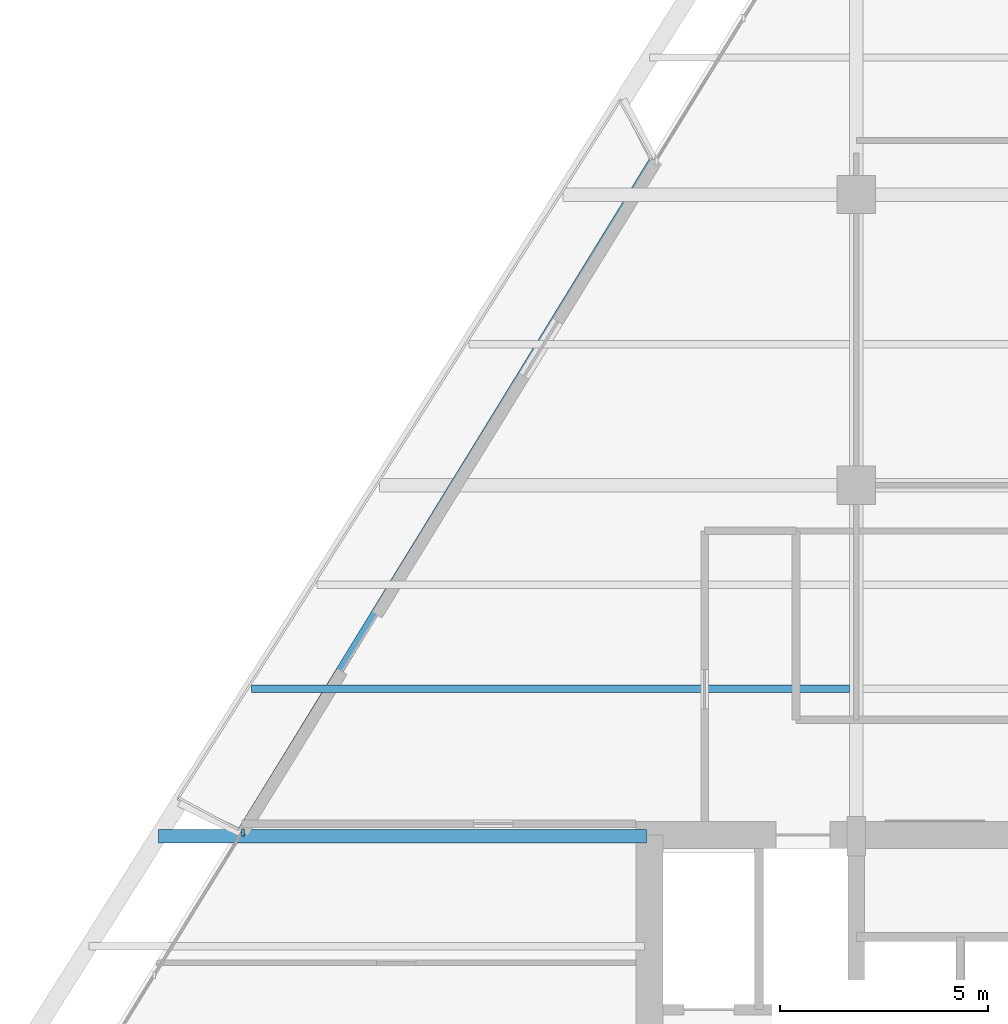
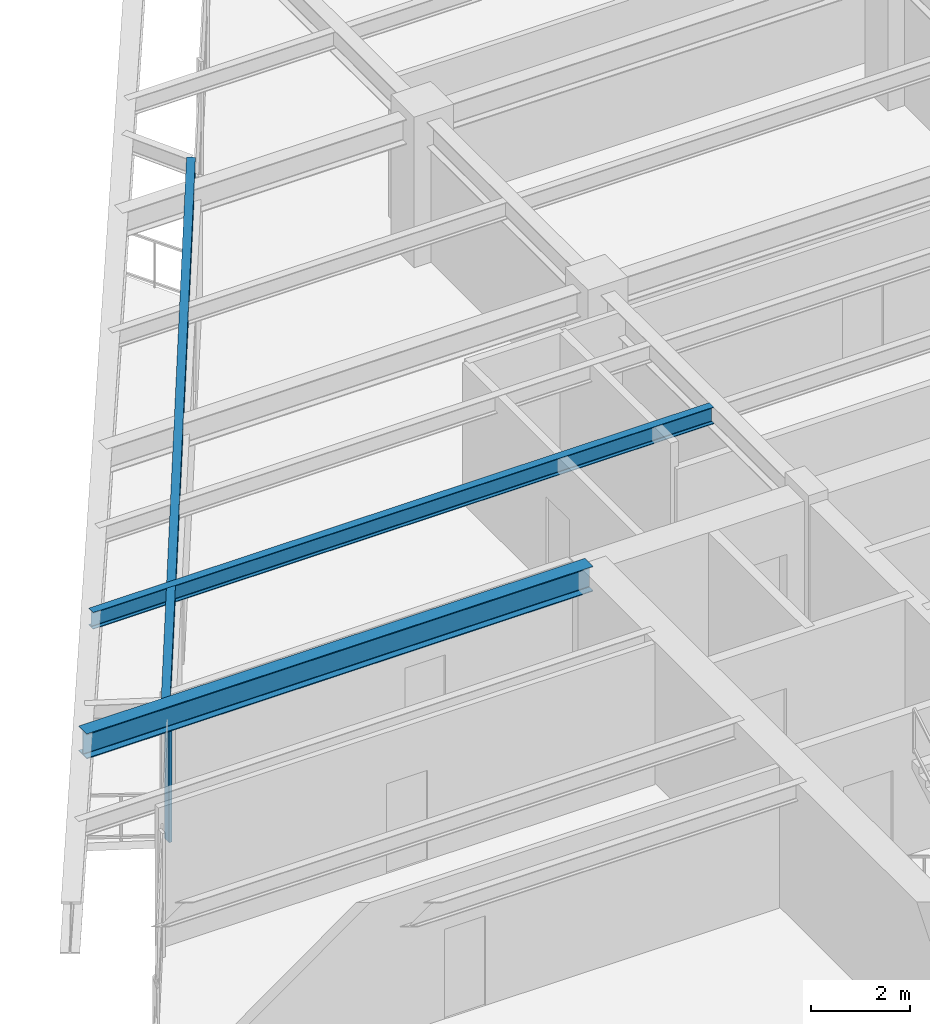
# One storey, part 4 of 15: 3 beams, 1 member, 1 element without a shape of its own.
"""IFC4 building model written with IfcOpenShell, lengths in metres."""

import ifcopenshell
import ifcopenshell.guid

model = None  # the IFC model being written
_history = None  # IfcOwnerHistory: only IFC2X3 demands one
_inside = {}  # id of a spatial element -> (the spatial element, [elements in it])
_under = {}  # id of a project, library or spatial element -> (it, [spatial elements below it])
_declared = {}  # id of a project -> (the project, [libraries it declares])
_typed = {}  # id of a type object -> (the type object, [elements of that type])
_made_of = {}  # id of a material, layer set ... -> (it, [elements and type objects made of it])


def new_model(schema):
    """Start an empty IFC model of exactly this schema.

    Asked for "IFC4X3", IfcOpenShell would pick the latest addendum, in which some entities
    have other attributes; the version numbers below select the first issue.
    IFC2X3 requires an IfcOwnerHistory on every rooted entity: one is made here for all.
    """
    global model, _history
    if schema == "IFC4X3":
        model = ifcopenshell.file(schema_version=(4, 3, 0, 0))
    else:
        model = ifcopenshell.file(schema=schema)
    _inside.clear()
    _under.clear()
    _declared.clear()
    _typed.clear()
    _made_of.clear()
    _history = None
    if model.schema == "IFC2X3":
        org = make("IfcOrganization", Name="unknown")
        user = make(
            "IfcPersonAndOrganization",
            ThePerson=make("IfcPerson", FamilyName="unknown"),
            TheOrganization=org,
        )
        app = make(
            "IfcApplication",
            ApplicationDeveloper=org,
            Version="unknown",
            ApplicationFullName="unknown",
            ApplicationIdentifier="unknown",
        )
        _history = make(
            "IfcOwnerHistory",
            OwningUser=user,
            OwningApplication=app,
            ChangeAction="ADDED",
            CreationDate=0,
        )
    return model


def make(cls, **values):
    """One entity of the class cls with the attributes given. An attribute that is None is left unset."""
    return model.create_entity(
        cls, **{name: value for name, value in values.items() if value is not None}
    )


def rooted(cls, **values):
    """An entity with a GlobalId (a new one), such as an element, a storey or a relation."""
    return make(cls, GlobalId=ifcopenshell.guid.new(), OwnerHistory=_history, **values)


def si_unit(unit_type, name, prefix=None):
    """IfcSIUnit, for example si_unit("LENGTHUNIT", "METRE", prefix="MILLI")."""
    return make("IfcSIUnit", UnitType=unit_type, Prefix=prefix, Name=name)


def assignment(units):
    """IfcUnitAssignment: the units of a project."""
    return None if units is None else make("IfcUnitAssignment", Units=units)


def point(xyz):
    """IfcCartesianPoint."""
    return None if xyz is None else make("IfcCartesianPoint", Coordinates=xyz)


def direction(xyz):
    """IfcDirection."""
    return None if xyz is None else make("IfcDirection", DirectionRatios=xyz)


def frame(location, z_axis=None, x_axis=None):
    """IfcAxis2Placement3D, a coordinate frame: its origin and axes. An axis left out is left unset."""
    return make(
        "IfcAxis2Placement3D",
        Location=point(location),
        Axis=direction(z_axis),
        RefDirection=direction(x_axis),
    )


def frame_2d(location, x_axis=None):
    """IfcAxis2Placement2D, a coordinate frame in the plane: its origin and x axis."""
    return make(
        "IfcAxis2Placement2D", Location=point(location), RefDirection=direction(x_axis)
    )


def origin():
    """The frame at (0, 0, 0) with its axes left unset."""
    return frame((0.0, 0.0, 0.0))


def origin_2d():
    """The frame at (0, 0) in the plane with its x axis left unset."""
    return frame_2d((0.0, 0.0))


def place(relative_to, where):
    """IfcLocalPlacement: puts the frame where relative to a parent placement (None: the world)."""
    return make(
        "IfcLocalPlacement", PlacementRelTo=relative_to, RelativePlacement=where
    )


def context(
    kind, dimensions, precision=None, world=None, true_north=None, identifier=None
):
    """IfcGeometricRepresentationContext, for example the 3D "Model" context."""
    return make(
        "IfcGeometricRepresentationContext",
        ContextIdentifier=identifier,
        ContextType=kind,
        CoordinateSpaceDimension=dimensions,
        Precision=precision,
        WorldCoordinateSystem=world,
        TrueNorth=true_north,
    )


def subcontext(parent, identifier, kind, view, scale=None):
    """IfcGeometricRepresentationSubContext, for example "Body" below "Model"."""
    return make(
        "IfcGeometricRepresentationSubContext",
        ContextIdentifier=identifier,
        ContextType=kind,
        ParentContext=parent,
        TargetScale=scale,
        TargetView=view,
    )


def project(units=None, contexts=None):
    """IfcProject with its units and contexts."""
    return rooted(
        "IfcProject",
        Name="project",
        RepresentationContexts=contexts,
        UnitsInContext=assignment(units),
    )


def spatial(cls, under=None, at=None, **own):
    """A site, building, storey or space (cls), placed at a placement, below another one or the project."""
    s = rooted(cls, ObjectPlacement=at, **own)
    if under is not None:
        _under.setdefault(under.id(), (under, []))[1].append(s)
    return s


def profile(cls, at=None, kind="AREA", **sizes):
    """A parametric profile (cls). Its sizes go by their IFC names, for example OverallWidth=200.0."""
    return make(cls, ProfileType=kind, Position=at, **sizes)


def rectangle(**sizes):
    """IfcRectangleProfileDef."""
    return profile("IfcRectangleProfileDef", **sizes)


def i_section(**sizes):
    """IfcIShapeProfileDef."""
    return profile("IfcIShapeProfileDef", **sizes)


def extrude(swept, where, along, depth):
    """IfcExtrudedAreaSolid: the profile swept, set in the frame where, extruded along a direction by depth."""
    return make(
        "IfcExtrudedAreaSolid",
        SweptArea=swept,
        Position=where,
        ExtrudedDirection=direction(along),
        Depth=depth,
    )


def shape(context_of_items, identifier, shape_type, items):
    """IfcShapeRepresentation: the items that make up one representation, for example the "Body"."""
    return make(
        "IfcShapeRepresentation",
        ContextOfItems=context_of_items,
        RepresentationIdentifier=identifier,
        RepresentationType=shape_type,
        Items=items,
    )


def source(mapping_origin, context_of_items, identifier, shape_type, items):
    """IfcRepresentationMap: a shape defined once, which mapped items show again and again."""
    return make(
        "IfcRepresentationMap",
        MappingOrigin=mapping_origin,
        MappedRepresentation=shape(context_of_items, identifier, shape_type, items),
    )


def transform(
    local_origin,
    x_axis=None,
    y_axis=None,
    z_axis=None,
    scale=None,
    scale2=None,
    scale3=None,
    uniform=True,
):
    """IfcCartesianTransformationOperator3D, or its non-uniform kind. x_axis, y_axis, z_axis: its Axis1, 2, 3."""
    if uniform:
        return make(
            "IfcCartesianTransformationOperator3D",
            Axis1=direction(x_axis),
            Axis2=direction(y_axis),
            LocalOrigin=point(local_origin),
            Scale=scale,
            Axis3=direction(z_axis),
        )
    return make(
        "IfcCartesianTransformationOperator3DnonUniform",
        Axis1=direction(x_axis),
        Axis2=direction(y_axis),
        LocalOrigin=point(local_origin),
        Scale=scale,
        Axis3=direction(z_axis),
        Scale2=scale2,
        Scale3=scale3,
    )


def mapped(mapping_source, mapping_target):
    """IfcMappedItem: shows the shape of a source again, moved by a transform."""
    return make(
        "IfcMappedItem", MappingSource=mapping_source, MappingTarget=mapping_target
    )


def material(Name=None, Category=None):
    """IfcMaterial."""
    return make("IfcMaterial", Name=Name, Category=Category)


def material_profile(
    of_material, cross_section, Name=None, Category=None, Priority=None
):
    """IfcMaterialProfile: a cross section and its material."""
    return make(
        "IfcMaterialProfile",
        Name=Name,
        Material=of_material,
        Profile=cross_section,
        Priority=Priority,
        Category=Category,
    )


def profile_set(profiles, Name=None, composite=None):
    """IfcMaterialProfileSet."""
    return make(
        "IfcMaterialProfileSet",
        Name=Name,
        MaterialProfiles=profiles,
        CompositeProfile=composite,
    )


def made_of(thing, what):
    """Note that an element or type object is made of a material, layer set ...; save() writes the relation."""
    if what is not None:
        _made_of.setdefault(what.id(), (what, []))[1].append(thing)
    return thing


def type_object(cls, material=None, **own):
    """A type object (cls), such as IfcWallType, which elements share."""
    return made_of(rooted(cls, **own), material)


def element(
    cls,
    number,
    at=None,
    inside=None,
    cuts=None,
    type_object=None,
    material=None,
    context=None,
    identifier="Body",
    shape_type=None,
    held_by="IfcProductDefinitionShape",
    body=None,
    shapes=None,
    **own,
):
    """One element of the class cls, such as IfcWall. Its Tag is "e" and its number.

    at: its placement. inside: the storey or other place that contains it. cuts: it is an
    opening in that element (IfcRelVoidsElement). A single representation is given by context,
    identifier, shape_type and body (its items); several are given by shapes. held_by: the class
    of the entity that holds the representations. save() writes the other relations.
    """
    e = rooted(cls, Tag="e%d" % number, ObjectPlacement=at, **own)
    if body is not None:
        shapes = [shape(context, identifier, shape_type, body)]
    if shapes is not None:
        e.Representation = make(held_by, Representations=shapes)
    if inside is not None:
        _inside.setdefault(inside.id(), (inside, []))[1].append(e)
    if cuts is not None:
        rooted(
            "IfcRelVoidsElement", RelatingBuildingElement=cuts, RelatedOpeningElement=e
        )
    if type_object is not None:
        _typed.setdefault(type_object.id(), (type_object, []))[1].append(e)
    return made_of(e, material)


def aggregate(whole, parts):
    """IfcRelAggregates: a whole, such as a stair, and the parts it consists of."""
    return rooted("IfcRelAggregates", RelatingObject=whole, RelatedObjects=parts)


def save(model, path):
    """Write the relations noted so far, then the file.

    IfcRelAggregates (storeys below a building ...), IfcRelContainedInSpatialStructure (elements
    in a storey), IfcRelDefinesByType, IfcRelAssociatesMaterial and IfcRelDeclares: one each for
    every whole, place, type object, material and project.
    """
    for whole, parts in _under.values():
        aggregate(whole, parts)
    for where, things in _inside.values():
        rooted(
            "IfcRelContainedInSpatialStructure",
            RelatedElements=things,
            RelatingStructure=where,
        )
    for kind, things in _typed.values():
        rooted("IfcRelDefinesByType", RelatedObjects=things, RelatingType=kind)
    for what, things in _made_of.values():
        rooted("IfcRelAssociatesMaterial", RelatedObjects=things, RelatingMaterial=what)
    for by, libraries in _declared.values():
        rooted("IfcRelDeclares", RelatingContext=by, RelatedDefinitions=libraries)
    model.write(path)


model = new_model("IFC4")

# Units and contexts
model_context = context("Model", 3, precision=1e-05, world=origin(), true_north=direction((0.0, 1.0)))
body_context = subcontext(model_context, "Body", "Model", "MODEL_VIEW")
ifc_project = project(units=[si_unit("LENGTHUNIT", "METRE"), si_unit("AREAUNIT", "SQUARE_METRE"), si_unit("VOLUMEUNIT", "CUBIC_METRE"), si_unit("PLANEANGLEUNIT", "RADIAN"), si_unit("MASSUNIT", "GRAM", prefix="KILO")], contexts=[model_context])

# Site, building, storey
site_placement = place(None, origin())
site = spatial("IfcSite", under=ifc_project, at=site_placement, CompositionType="ELEMENT")
building_placement = place(site_placement, origin())
building = spatial("IfcBuilding", under=site, at=building_placement, Name="Varnakhor Terracotta Tower", CompositionType="ELEMENT")
storey_placement = place(building_placement, frame((0.0, 0.0, 193.199951171875)))
storey = spatial("IfcBuildingStorey", under=building, at=storey_placement, Name="L49", CompositionType="ELEMENT", Elevation=193.199951171875)

# Beams
ifc_material_1 = material(Name="Steel S355", Category="steel")
ifc_material_profile_1 = material_profile(ifc_material_1, i_section(OverallWidth=0.179931640625, OverallDepth=0.39990234375, WebThickness=0.008544921875, FlangeThickness=0.013427734375, FilletRadius=0.01806640625, at=origin_2d()), Name="IPE400")
ifc_profile_set_1 = profile_set([ifc_material_profile_1], Name="Steel S355")
beam_type_1 = type_object("IfcBeamType", Name="JST-IPE400", PredefinedType="JOIST", material=ifc_profile_set_1)
shared_shape_1 = source(origin(), body_context, "Body", "SweptSolid", [
    extrude(i_section(OverallWidth=0.179931640625, OverallDepth=0.39990234375, WebThickness=0.008544921875, FlangeThickness=0.013427734375, FilletRadius=0.01806640625, at=origin_2d()), origin(), (0.0, 0.0, 1.0), 19.031494140625),
])
beam_1_placement = place(storey_placement, frame((-10.3828125, 32.353515625, 3.27001953125), z_axis=(-0.523010501251, -0.852326237764, 0.0), x_axis=(0.852326237764, -0.523010501251, 0.0)))
element("IfcBeam", 1, at=beam_1_placement, inside=storey, type_object=beam_type_1, Name="L49 Loggia Edge Beam 2", PredefinedType="JOIST", context=body_context, shape_type="MappedRepresentation", body=[
    mapped(shared_shape_1, transform((0.0, 0.0, 0.0), scale=1.0)),
])
ifc_material_profile_2 = material_profile(ifc_material_1, i_section(OverallWidth=0.324951171875, OverallDepth=0.615966796875, WebThickness=0.013916015625, FlangeThickness=0.02197265625, FilletRadius=0.01806640625, at=origin_2d()), Name="W24X117")
ifc_profile_set_2 = profile_set([ifc_material_profile_2], Name="Steel S355")
beam_type_2 = type_object("IfcBeamType", Name="BM-W24X117", PredefinedType="BEAM", material=ifc_profile_set_2)
shared_shape_2 = source(origin(), body_context, "Body", "SweptSolid", [
    extrude(i_section(OverallWidth=0.324951171875, OverallDepth=0.615966796875, WebThickness=0.013916015625, FlangeThickness=0.02197265625, FilletRadius=0.01806640625, at=origin_2d()), origin(), (0.0, 0.0, 1.0), 11.75830078125),
])
beam_2_placement = place(storey_placement, frame((-22.308349609375, 16.050048828125, 3.162109375), z_axis=(1.0, 0.0, 0.0), x_axis=(0.0, 1.0, 0.0)))
element("IfcBeam", 2, at=beam_2_placement, inside=storey, type_object=beam_type_2, Name="L49 Wing Girder W", PredefinedType="BEAM", context=body_context, shape_type="MappedRepresentation", body=[
    mapped(shared_shape_2, transform((0.0, 0.0, 0.0), scale=1.0)),
])
ifc_material_profile_3 = material_profile(ifc_material_1, i_section(OverallWidth=0.179931640625, OverallDepth=0.4130859375, WebThickness=0.009765625, FlangeThickness=0.01611328125, FilletRadius=0.01806640625, at=origin_2d()), Name="W16X50")
ifc_profile_set_3 = profile_set([ifc_material_profile_3], Name="Steel S355")
beam_type_3 = type_object("IfcBeamType", Name="JST-W16X50", PredefinedType="JOIST", material=ifc_profile_set_3)
shared_shape_3 = source(origin(), body_context, "Body", "SweptSolid", [
    extrude(i_section(OverallWidth=0.179931640625, OverallDepth=0.4130859375, WebThickness=0.009765625, FlangeThickness=0.01611328125, FilletRadius=0.01806640625, at=origin_2d()), origin(), (0.0, 0.0, 1.0), 14.409912109375),
])
beam_3_placement = place(storey_placement, frame((-20.068359375, 19.60009765625, 3.263427734375), z_axis=(1.0, 0.0, 0.0), x_axis=(0.0, 1.0, 0.0)))
element("IfcBeam", 3, at=beam_3_placement, inside=storey, type_object=beam_type_3, Name="L49 Composite Floor Joist 4-1", PredefinedType="JOIST", context=body_context, shape_type="MappedRepresentation", body=[
    mapped(shared_shape_3, transform((0.0, 0.0, 0.0), scale=1.0)),
])

# Curtain wall, member
ifc_material_2 = material(Name="Anodised Aluminium Curtain Wall System", Category="aluminium")
curtain_wall_type = type_object("IfcCurtainWallType", Name="CW-SYS-MID-OFFICE", PredefinedType="NOTDEFINED", material=ifc_material_2)
curtain_wall_placement = place(storey_placement, origin())
curtain_wall = element("IfcCurtainWall", 4, at=curtain_wall_placement, inside=storey, type_object=curtain_wall_type, Name="L49 W Facet Curtain Wall 1", PredefinedType="NOTDEFINED")
ifc_material_3 = material(Name="Anodised Aluminium 6063-T6", Category="aluminium")
ifc_material_profile_4 = material_profile(ifc_material_3, rectangle(XDim=0.070068359375, YDim=0.175048828125, at=origin_2d()), Name="ALU MULLION 70x175")
ifc_profile_set_4 = profile_set([ifc_material_profile_4], Name="Anodised Aluminium 6063-T6")
member_type = type_object("IfcMemberType", Name="CWM-03", PredefinedType="MULLION", material=ifc_profile_set_4)
shared_shape_4 = source(origin(), body_context, "Body", "SweptSolid", [
    extrude(rectangle(XDim=0.070068359375, YDim=0.175048828125, at=origin_2d()), origin(), (0.0, 0.0, 1.0), 3.050048828125),
])
member_placement = place(storey_placement, frame((-20.2705078125, 16.134765625, 0.0), z_axis=(0.0, 0.0, 1.0), x_axis=(1.0, 0.0, 0.0)))
member = element("IfcMember", 5, at=member_placement, type_object=member_type, Name="L49 W Loggia Jamb Closure Mullion 1", PredefinedType="MULLION", context=body_context, shape_type="MappedRepresentation", body=[
    mapped(shared_shape_4, transform((0.0, 0.0, 0.0), scale=1.0)),
])
aggregate(curtain_wall, [member])

save(model, "model.ifc")
